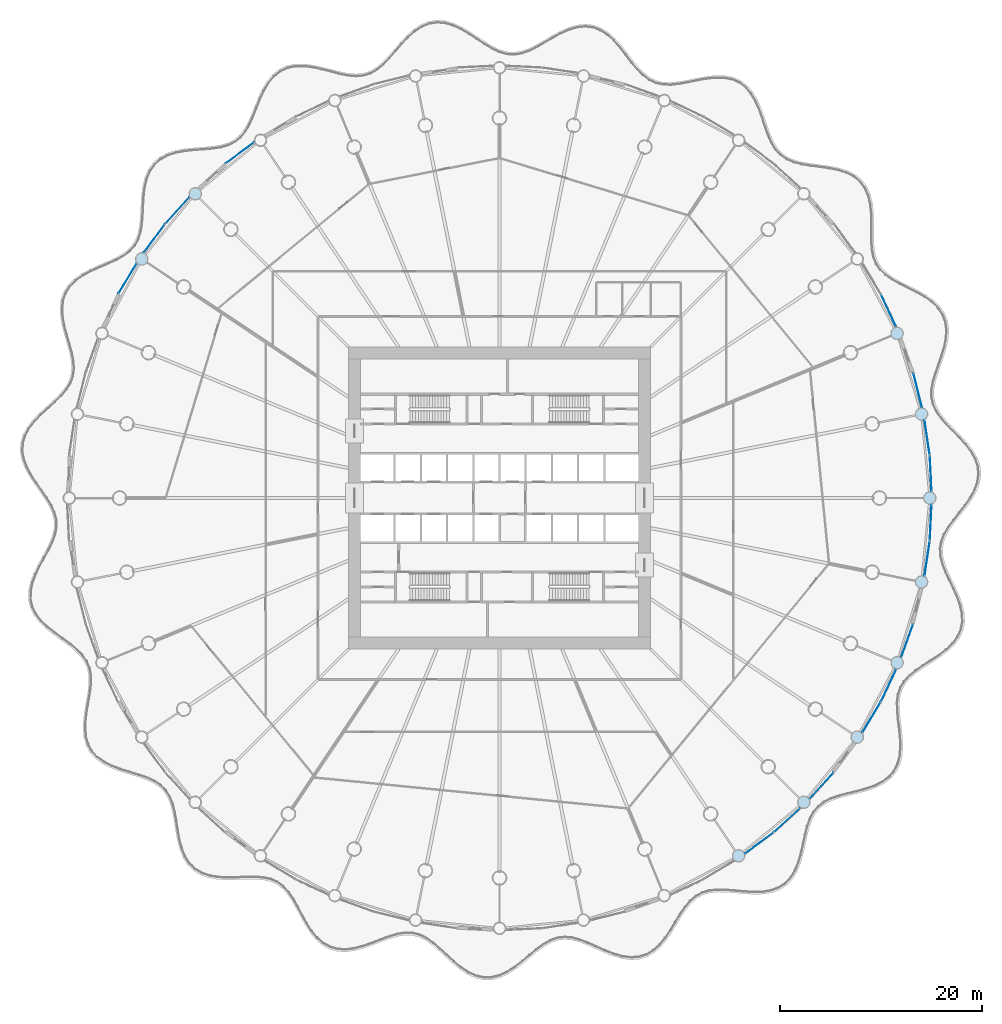
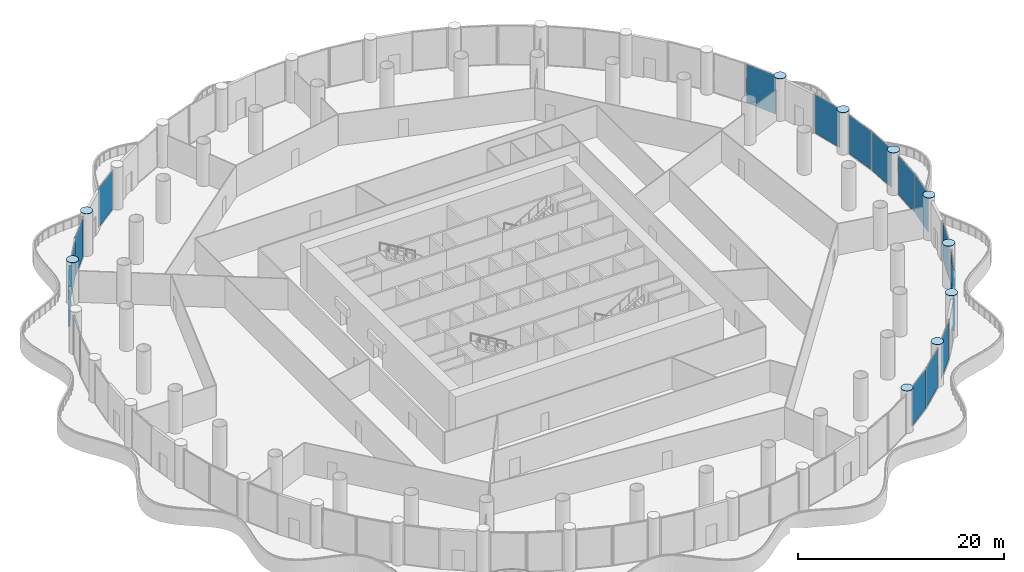
# One storey, part 22 of 38: 26 plates, 16 elements without a shape of their own.
"""IFC4 building model written with IfcOpenShell, lengths in metres."""

from ifc_helpers import new_model, si_unit, direction, frame, origin, origin_2d, place, context, subcontext, project, spatial, polyline, rectangle, outline, extrude, material, layer, layer_set, type_object, element, aggregate, save


model = new_model("IFC4")

# Units and contexts
model_context = context("Model", 3, precision=1e-05, world=origin(), true_north=direction((0.0, 1.0)))
body_context = subcontext(model_context, "Body", "Model", "MODEL_VIEW")
ifc_project = project(units=[si_unit("LENGTHUNIT", "METRE"), si_unit("AREAUNIT", "SQUARE_METRE"), si_unit("VOLUMEUNIT", "CUBIC_METRE"), si_unit("PLANEANGLEUNIT", "RADIAN"), si_unit("MASSUNIT", "GRAM", prefix="KILO")], contexts=[model_context])

# Site, building, storey
site_placement = place(None, origin())
site = spatial("IfcSite", under=ifc_project, at=site_placement, CompositionType="ELEMENT")
building_placement = place(site_placement, origin())
building = spatial("IfcBuilding", under=site, at=building_placement, Name="Corvane Civic Tower", CompositionType="ELEMENT")
storey_placement = place(building_placement, frame((0.0, 0.0, 32.0)))
storey = spatial("IfcBuildingStorey", under=building, at=storey_placement, Name="L06", CompositionType="ELEMENT", Elevation=32.0)

# Plates
ifc_material_1 = material(Name="Steel ASTM A572 Gr 50", Category="steel")
ifc_layer_1 = layer(ifc_material_1, 0.050048828125)
ifc_layer_set_1 = layer_set([ifc_layer_1], Name="Steel ASTM A572 Gr 50")
plate_type_1 = type_object("IfcPlateType", Name="COLUMN CAP PLATE 50", PredefinedType="SHEET", material=ifc_layer_set_1)
plate_1_placement = place(storey_placement, frame((0.0, 0.0, 5.0)))
element("IfcPlate", 1, at=plate_1_placement, inside=storey, type_object=plate_type_1, Name="PL-L06-cap-G07", PredefinedType="SHEET", context=body_context, shape_type="SweptSolid", body=[
    extrude(outline(polyline([(40.0498046875, 16.340576171875), (40.044677734375, 16.4189453125), (40.029296875, 16.495849609375), (40.00390625, 16.5703125), (39.96923828125, 16.640625), (39.92578125, 16.705810546875), (39.8740234375, 16.764892578125), (39.81494140625, 16.816650390625), (39.749755859375, 16.860107421875), (39.67919921875, 16.89501953125), (39.60498046875, 16.920166015625), (39.528076171875, 16.935302734375), (39.44970703125, 16.940673828125), (39.371337890625, 16.935302734375), (39.29443359375, 16.920166015625), (39.22021484375, 16.89501953125), (39.149658203125, 16.860107421875), (39.08447265625, 16.816650390625), (39.025390625, 16.764892578125), (38.9736328125, 16.705810546875), (38.93017578125, 16.640625), (38.8955078125, 16.5703125), (38.8701171875, 16.495849609375), (38.854736328125, 16.4189453125), (38.849609375, 16.340576171875), (38.854736328125, 16.26220703125), (38.8701171875, 16.185302734375), (38.8955078125, 16.111083984375), (38.93017578125, 16.04052734375), (38.9736328125, 15.975341796875), (39.025390625, 15.916259765625), (39.08447265625, 15.864501953125), (39.149658203125, 15.821044921875), (39.22021484375, 15.7861328125), (39.29443359375, 15.760986328125), (39.371337890625, 15.74560546875), (39.44970703125, 15.740478515625), (39.528076171875, 15.74560546875), (39.60498046875, 15.760986328125), (39.67919921875, 15.7861328125), (39.749755859375, 15.821044921875), (39.81494140625, 15.864501953125), (39.8740234375, 15.916259765625), (39.92578125, 15.975341796875), (39.96923828125, 16.04052734375), (40.00390625, 16.111083984375), (40.029296875, 16.185302734375), (40.044677734375, 16.26220703125), (40.0498046875, 16.340576171875)])), origin(), (0.0, 0.0, 1.0), 0.050048828125),
])
plate_2_placement = place(storey_placement, frame((0.0, 0.0, 5.0)))
element("IfcPlate", 2, at=plate_2_placement, inside=storey, type_object=plate_type_1, Name="PL-L06-cap-G08", PredefinedType="SHEET", context=body_context, shape_type="SweptSolid", body=[
    extrude(outline(polyline([(42.4794921875, 8.330322265625), (42.474609375, 8.40869140625), (42.459228515625, 8.485595703125), (42.43408203125, 8.559814453125), (42.3994140625, 8.63037109375), (42.355712890625, 8.695556640625), (42.303955078125, 8.754638671875), (42.244873046875, 8.806396484375), (42.1796875, 8.849853515625), (42.109130859375, 8.884521484375), (42.034912109375, 8.909912109375), (41.9580078125, 8.92529296875), (41.879638671875, 8.930419921875), (41.80126953125, 8.92529296875), (41.724365234375, 8.909912109375), (41.64990234375, 8.884521484375), (41.57958984375, 8.849853515625), (41.514404296875, 8.806396484375), (41.455322265625, 8.754638671875), (41.403564453125, 8.695556640625), (41.360107421875, 8.63037109375), (41.3251953125, 8.559814453125), (41.300048828125, 8.485595703125), (41.284912109375, 8.40869140625), (41.279541015625, 8.330322265625), (41.284912109375, 8.251953125), (41.300048828125, 8.175048828125), (41.3251953125, 8.1005859375), (41.360107421875, 8.0302734375), (41.403564453125, 7.965087890625), (41.455322265625, 7.906005859375), (41.514404296875, 7.854248046875), (41.57958984375, 7.810791015625), (41.64990234375, 7.77587890625), (41.724365234375, 7.750732421875), (41.80126953125, 7.735595703125), (41.879638671875, 7.730224609375), (41.9580078125, 7.735595703125), (42.034912109375, 7.750732421875), (42.109130859375, 7.77587890625), (42.1796875, 7.810791015625), (42.244873046875, 7.854248046875), (42.303955078125, 7.906005859375), (42.355712890625, 7.965087890625), (42.3994140625, 8.0302734375), (42.43408203125, 8.1005859375), (42.459228515625, 8.175048828125), (42.474609375, 8.251953125), (42.4794921875, 8.330322265625)])), origin(), (0.0, 0.0, 1.0), 0.050048828125),
])
plate_3_placement = place(storey_placement, frame((0.0, 0.0, 5.0)))
element("IfcPlate", 3, at=plate_3_placement, inside=storey, type_object=plate_type_1, Name="PL-L06-cap-G09", PredefinedType="SHEET", context=body_context, shape_type="SweptSolid", body=[
    extrude(outline(polyline([(43.300048828125, 0.0), (43.294921875, 0.078369140625), (43.279541015625, 0.1552734375), (43.25439453125, 0.2294921875), (43.219482421875, 0.300048828125), (43.176025390625, 0.365234375), (43.124267578125, 0.42431640625), (43.065185546875, 0.47607421875), (43.0, 0.51953125), (42.9296875, 0.55419921875), (42.855224609375, 0.57958984375), (42.7783203125, 0.594970703125), (42.699951171875, 0.60009765625), (42.62158203125, 0.594970703125), (42.544677734375, 0.57958984375), (42.47021484375, 0.55419921875), (42.39990234375, 0.51953125), (42.334716796875, 0.47607421875), (42.275634765625, 0.42431640625), (42.223876953125, 0.365234375), (42.180419921875, 0.300048828125), (42.1455078125, 0.2294921875), (42.120361328125, 0.1552734375), (42.10498046875, 0.078369140625), (42.10009765625, 0.0), (42.10498046875, -0.078369140625), (42.120361328125, -0.1552734375), (42.1455078125, -0.2294921875), (42.180419921875, -0.300048828125), (42.223876953125, -0.365234375), (42.275634765625, -0.42431640625), (42.334716796875, -0.47607421875), (42.39990234375, -0.51953125), (42.47021484375, -0.55419921875), (42.544677734375, -0.57958984375), (42.62158203125, -0.594970703125), (42.699951171875, -0.60009765625), (42.7783203125, -0.594970703125), (42.855224609375, -0.57958984375), (42.9296875, -0.55419921875), (43.0, -0.51953125), (43.065185546875, -0.47607421875), (43.124267578125, -0.42431640625), (43.176025390625, -0.365234375), (43.219482421875, -0.300048828125), (43.25439453125, -0.2294921875), (43.279541015625, -0.1552734375), (43.294921875, -0.078369140625), (43.300048828125, 0.0)])), origin(), (0.0, 0.0, 1.0), 0.050048828125),
])
plate_4_placement = place(storey_placement, frame((0.0, 0.0, 5.0)))
element("IfcPlate", 4, at=plate_4_placement, inside=storey, type_object=plate_type_1, Name="PL-L06-cap-G10", PredefinedType="SHEET", context=body_context, shape_type="SweptSolid", body=[
    extrude(outline(polyline([(42.4794921875, -8.330322265625), (42.474609375, -8.251953125), (42.459228515625, -8.175048828125), (42.43408203125, -8.1005859375), (42.3994140625, -8.0302734375), (42.355712890625, -7.965087890625), (42.303955078125, -7.906005859375), (42.244873046875, -7.854248046875), (42.1796875, -7.810791015625), (42.109130859375, -7.77587890625), (42.034912109375, -7.750732421875), (41.9580078125, -7.735595703125), (41.879638671875, -7.730224609375), (41.80126953125, -7.735595703125), (41.724365234375, -7.750732421875), (41.64990234375, -7.77587890625), (41.57958984375, -7.810791015625), (41.514404296875, -7.854248046875), (41.455322265625, -7.906005859375), (41.403564453125, -7.965087890625), (41.360107421875, -8.0302734375), (41.3251953125, -8.1005859375), (41.300048828125, -8.175048828125), (41.284912109375, -8.251953125), (41.279541015625, -8.330322265625), (41.284912109375, -8.40869140625), (41.300048828125, -8.485595703125), (41.3251953125, -8.559814453125), (41.360107421875, -8.63037109375), (41.403564453125, -8.695556640625), (41.455322265625, -8.754638671875), (41.514404296875, -8.806396484375), (41.57958984375, -8.849853515625), (41.64990234375, -8.884521484375), (41.724365234375, -8.909912109375), (41.80126953125, -8.92529296875), (41.879638671875, -8.930419921875), (41.9580078125, -8.92529296875), (42.034912109375, -8.909912109375), (42.109130859375, -8.884521484375), (42.1796875, -8.849853515625), (42.244873046875, -8.806396484375), (42.303955078125, -8.754638671875), (42.355712890625, -8.695556640625), (42.3994140625, -8.63037109375), (42.43408203125, -8.559814453125), (42.459228515625, -8.485595703125), (42.474609375, -8.40869140625), (42.4794921875, -8.330322265625)])), origin(), (0.0, 0.0, 1.0), 0.050048828125),
])
plate_5_placement = place(storey_placement, frame((0.0, 0.0, 5.0)))
element("IfcPlate", 5, at=plate_5_placement, inside=storey, type_object=plate_type_1, Name="PL-L06-cap-G11", PredefinedType="SHEET", context=body_context, shape_type="SweptSolid", body=[
    extrude(outline(polyline([(40.0498046875, -16.340576171875), (40.044677734375, -16.26220703125), (40.029296875, -16.185302734375), (40.00390625, -16.111083984375), (39.96923828125, -16.04052734375), (39.92578125, -15.975341796875), (39.8740234375, -15.916259765625), (39.81494140625, -15.864501953125), (39.749755859375, -15.821044921875), (39.67919921875, -15.7861328125), (39.60498046875, -15.760986328125), (39.528076171875, -15.74560546875), (39.44970703125, -15.740478515625), (39.371337890625, -15.74560546875), (39.29443359375, -15.760986328125), (39.22021484375, -15.7861328125), (39.149658203125, -15.821044921875), (39.08447265625, -15.864501953125), (39.025390625, -15.916259765625), (38.9736328125, -15.975341796875), (38.93017578125, -16.04052734375), (38.8955078125, -16.111083984375), (38.8701171875, -16.185302734375), (38.854736328125, -16.26220703125), (38.849609375, -16.340576171875), (38.854736328125, -16.4189453125), (38.8701171875, -16.495849609375), (38.8955078125, -16.5703125), (38.93017578125, -16.640625), (38.9736328125, -16.705810546875), (39.025390625, -16.764892578125), (39.08447265625, -16.816650390625), (39.149658203125, -16.860107421875), (39.22021484375, -16.89501953125), (39.29443359375, -16.920166015625), (39.371337890625, -16.935302734375), (39.44970703125, -16.940673828125), (39.528076171875, -16.935302734375), (39.60498046875, -16.920166015625), (39.67919921875, -16.89501953125), (39.749755859375, -16.860107421875), (39.81494140625, -16.816650390625), (39.8740234375, -16.764892578125), (39.92578125, -16.705810546875), (39.96923828125, -16.640625), (40.00390625, -16.5703125), (40.029296875, -16.495849609375), (40.044677734375, -16.4189453125), (40.0498046875, -16.340576171875)])), origin(), (0.0, 0.0, 1.0), 0.050048828125),
])
plate_6_placement = place(storey_placement, frame((0.0, 0.0, 5.0)))
element("IfcPlate", 6, at=plate_6_placement, inside=storey, type_object=plate_type_1, Name="PL-L06-cap-G12", PredefinedType="SHEET", context=body_context, shape_type="SweptSolid", body=[
    extrude(outline(polyline([(36.103759765625, -23.722900390625), (36.098388671875, -23.64453125), (36.083251953125, -23.567626953125), (36.05810546875, -23.493408203125), (36.023193359375, -23.4228515625), (35.979736328125, -23.357666015625), (35.927978515625, -23.298583984375), (35.868896484375, -23.246826171875), (35.8037109375, -23.203369140625), (35.7333984375, -23.168701171875), (35.658935546875, -23.143310546875), (35.58203125, -23.1279296875), (35.503662109375, -23.122802734375), (35.42529296875, -23.1279296875), (35.348388671875, -23.143310546875), (35.274169921875, -23.168701171875), (35.20361328125, -23.203369140625), (35.138427734375, -23.246826171875), (35.079345703125, -23.298583984375), (35.027587890625, -23.357666015625), (34.98388671875, -23.4228515625), (34.94921875, -23.493408203125), (34.924072265625, -23.567626953125), (34.90869140625, -23.64453125), (34.90380859375, -23.722900390625), (34.90869140625, -23.80126953125), (34.924072265625, -23.878173828125), (34.94921875, -23.952392578125), (34.98388671875, -24.02294921875), (35.027587890625, -24.088134765625), (35.079345703125, -24.147216796875), (35.138427734375, -24.198974609375), (35.20361328125, -24.242431640625), (35.274169921875, -24.277099609375), (35.348388671875, -24.302490234375), (35.42529296875, -24.31787109375), (35.503662109375, -24.322998046875), (35.58203125, -24.31787109375), (35.658935546875, -24.302490234375), (35.7333984375, -24.277099609375), (35.8037109375, -24.242431640625), (35.868896484375, -24.198974609375), (35.927978515625, -24.147216796875), (35.979736328125, -24.088134765625), (36.023193359375, -24.02294921875), (36.05810546875, -23.952392578125), (36.083251953125, -23.878173828125), (36.098388671875, -23.80126953125), (36.103759765625, -23.722900390625)])), origin(), (0.0, 0.0, 1.0), 0.050048828125),
])
plate_7_placement = place(storey_placement, frame((0.0, 0.0, 5.0)))
element("IfcPlate", 7, at=plate_7_placement, inside=storey, type_object=plate_type_1, Name="PL-L06-cap-G13", PredefinedType="SHEET", context=body_context, shape_type="SweptSolid", body=[
    extrude(outline(polyline([(30.79345703125, -30.193359375), (30.7880859375, -30.114990234375), (30.77294921875, -30.0380859375), (30.747802734375, -29.963623046875), (30.712890625, -29.893310546875), (30.66943359375, -29.828125), (30.61767578125, -29.76904296875), (30.55859375, -29.71728515625), (30.493408203125, -29.673583984375), (30.423095703125, -29.638916015625), (30.3486328125, -29.61376953125), (30.271728515625, -29.598388671875), (30.193359375, -29.593505859375), (30.114990234375, -29.598388671875), (30.0380859375, -29.61376953125), (29.963623046875, -29.638916015625), (29.893310546875, -29.673583984375), (29.828125, -29.71728515625), (29.76904296875, -29.76904296875), (29.71728515625, -29.828125), (29.673583984375, -29.893310546875), (29.638916015625, -29.963623046875), (29.61376953125, -30.0380859375), (29.598388671875, -30.114990234375), (29.593505859375, -30.193359375), (29.598388671875, -30.271728515625), (29.61376953125, -30.3486328125), (29.638916015625, -30.423095703125), (29.673583984375, -30.493408203125), (29.71728515625, -30.55859375), (29.76904296875, -30.61767578125), (29.828125, -30.66943359375), (29.893310546875, -30.712890625), (29.963623046875, -30.747802734375), (30.0380859375, -30.77294921875), (30.114990234375, -30.7880859375), (30.193359375, -30.79345703125), (30.271728515625, -30.7880859375), (30.3486328125, -30.77294921875), (30.423095703125, -30.747802734375), (30.493408203125, -30.712890625), (30.55859375, -30.66943359375), (30.61767578125, -30.61767578125), (30.66943359375, -30.55859375), (30.712890625, -30.493408203125), (30.747802734375, -30.423095703125), (30.77294921875, -30.3486328125), (30.7880859375, -30.271728515625), (30.79345703125, -30.193359375)])), origin(), (0.0, 0.0, 1.0), 0.050048828125),
])
plate_8_placement = place(storey_placement, frame((0.0, 0.0, 5.0)))
element("IfcPlate", 8, at=plate_8_placement, inside=storey, type_object=plate_type_1, Name="PL-L06-cap-G14", PredefinedType="SHEET", context=body_context, shape_type="SweptSolid", body=[
    extrude(outline(polyline([(24.322998046875, -35.503662109375), (24.31787109375, -35.42529296875), (24.302490234375, -35.348388671875), (24.277099609375, -35.274169921875), (24.242431640625, -35.20361328125), (24.198974609375, -35.138427734375), (24.147216796875, -35.079345703125), (24.088134765625, -35.027587890625), (24.02294921875, -34.98388671875), (23.952392578125, -34.94921875), (23.878173828125, -34.924072265625), (23.80126953125, -34.90869140625), (23.722900390625, -34.90380859375), (23.64453125, -34.90869140625), (23.567626953125, -34.924072265625), (23.493408203125, -34.94921875), (23.4228515625, -34.98388671875), (23.357666015625, -35.027587890625), (23.298583984375, -35.079345703125), (23.246826171875, -35.138427734375), (23.203369140625, -35.20361328125), (23.168701171875, -35.274169921875), (23.143310546875, -35.348388671875), (23.1279296875, -35.42529296875), (23.122802734375, -35.503662109375), (23.1279296875, -35.58203125), (23.143310546875, -35.658935546875), (23.168701171875, -35.7333984375), (23.203369140625, -35.8037109375), (23.246826171875, -35.868896484375), (23.298583984375, -35.927978515625), (23.357666015625, -35.979736328125), (23.4228515625, -36.023193359375), (23.493408203125, -36.05810546875), (23.567626953125, -36.083251953125), (23.64453125, -36.098388671875), (23.722900390625, -36.103759765625), (23.80126953125, -36.098388671875), (23.878173828125, -36.083251953125), (23.952392578125, -36.05810546875), (24.02294921875, -36.023193359375), (24.088134765625, -35.979736328125), (24.147216796875, -35.927978515625), (24.198974609375, -35.868896484375), (24.242431640625, -35.8037109375), (24.277099609375, -35.7333984375), (24.302490234375, -35.658935546875), (24.31787109375, -35.58203125), (24.322998046875, -35.503662109375)])), origin(), (0.0, 0.0, 1.0), 0.050048828125),
])
plate_9_placement = place(storey_placement, frame((0.0, 0.0, 5.0)))
element("IfcPlate", 9, at=plate_9_placement, inside=storey, type_object=plate_type_1, Name="PL-L06-cap-G28", PredefinedType="SHEET", context=body_context, shape_type="SweptSolid", body=[
    extrude(outline(polyline([(-34.90380859375, 23.722900390625), (-34.90869140625, 23.80126953125), (-34.924072265625, 23.878173828125), (-34.94921875, 23.952392578125), (-34.98388671875, 24.02294921875), (-35.027587890625, 24.088134765625), (-35.079345703125, 24.147216796875), (-35.138427734375, 24.198974609375), (-35.20361328125, 24.242431640625), (-35.274169921875, 24.277099609375), (-35.348388671875, 24.302490234375), (-35.42529296875, 24.31787109375), (-35.503662109375, 24.322998046875), (-35.58203125, 24.31787109375), (-35.658935546875, 24.302490234375), (-35.7333984375, 24.277099609375), (-35.8037109375, 24.242431640625), (-35.868896484375, 24.198974609375), (-35.927978515625, 24.147216796875), (-35.979736328125, 24.088134765625), (-36.023193359375, 24.02294921875), (-36.05810546875, 23.952392578125), (-36.083251953125, 23.878173828125), (-36.098388671875, 23.80126953125), (-36.103759765625, 23.722900390625), (-36.098388671875, 23.64453125), (-36.083251953125, 23.567626953125), (-36.05810546875, 23.493408203125), (-36.023193359375, 23.4228515625), (-35.979736328125, 23.357666015625), (-35.927978515625, 23.298583984375), (-35.868896484375, 23.246826171875), (-35.8037109375, 23.203369140625), (-35.7333984375, 23.168701171875), (-35.658935546875, 23.143310546875), (-35.58203125, 23.1279296875), (-35.503662109375, 23.122802734375), (-35.42529296875, 23.1279296875), (-35.348388671875, 23.143310546875), (-35.274169921875, 23.168701171875), (-35.20361328125, 23.203369140625), (-35.138427734375, 23.246826171875), (-35.079345703125, 23.298583984375), (-35.027587890625, 23.357666015625), (-34.98388671875, 23.4228515625), (-34.94921875, 23.493408203125), (-34.924072265625, 23.567626953125), (-34.90869140625, 23.64453125), (-34.90380859375, 23.722900390625)])), origin(), (0.0, 0.0, 1.0), 0.050048828125),
])
plate_10_placement = place(storey_placement, frame((0.0, 0.0, 5.0)))
element("IfcPlate", 10, at=plate_10_placement, inside=storey, type_object=plate_type_1, Name="PL-L06-cap-G29", PredefinedType="SHEET", context=body_context, shape_type="SweptSolid", body=[
    extrude(outline(polyline([(-29.593505859375, 30.193359375), (-29.598388671875, 30.271728515625), (-29.61376953125, 30.3486328125), (-29.638916015625, 30.423095703125), (-29.673583984375, 30.493408203125), (-29.71728515625, 30.55859375), (-29.76904296875, 30.61767578125), (-29.828125, 30.66943359375), (-29.893310546875, 30.712890625), (-29.963623046875, 30.747802734375), (-30.0380859375, 30.77294921875), (-30.114990234375, 30.7880859375), (-30.193359375, 30.79345703125), (-30.271728515625, 30.7880859375), (-30.3486328125, 30.77294921875), (-30.423095703125, 30.747802734375), (-30.493408203125, 30.712890625), (-30.55859375, 30.66943359375), (-30.61767578125, 30.61767578125), (-30.66943359375, 30.55859375), (-30.712890625, 30.493408203125), (-30.747802734375, 30.423095703125), (-30.77294921875, 30.3486328125), (-30.7880859375, 30.271728515625), (-30.79345703125, 30.193359375), (-30.7880859375, 30.114990234375), (-30.77294921875, 30.0380859375), (-30.747802734375, 29.963623046875), (-30.712890625, 29.893310546875), (-30.66943359375, 29.828125), (-30.61767578125, 29.76904296875), (-30.55859375, 29.71728515625), (-30.493408203125, 29.673583984375), (-30.423095703125, 29.638916015625), (-30.3486328125, 29.61376953125), (-30.271728515625, 29.598388671875), (-30.193359375, 29.593505859375), (-30.114990234375, 29.598388671875), (-30.0380859375, 29.61376953125), (-29.963623046875, 29.638916015625), (-29.893310546875, 29.673583984375), (-29.828125, 29.71728515625), (-29.76904296875, 29.76904296875), (-29.71728515625, 29.828125), (-29.673583984375, 29.893310546875), (-29.638916015625, 29.963623046875), (-29.61376953125, 30.0380859375), (-29.598388671875, 30.114990234375), (-29.593505859375, 30.193359375)])), origin(), (0.0, 0.0, 1.0), 0.050048828125),
])

# Curtain wall, plate
ifc_material_2 = material(Name="Aluminium and glass", Category="aluminium")
curtain_wall_type = type_object("IfcCurtainWallType", Name="PODIUM-CW-P-RUN", PredefinedType="NOTDEFINED", material=ifc_material_2)
curtain_wall_1_placement = place(storey_placement, origin())
curtain_wall_1 = element("IfcCurtainWall", 11, at=curtain_wall_1_placement, inside=storey, type_object=curtain_wall_type, Name="PODI run L06-drum-06B", PredefinedType="NOTDEFINED")
ifc_material_3 = material(Name="Glass tinted low-e laminated", Category="glass")
ifc_layer_2 = layer(ifc_material_3, 0.031982421875)
ifc_layer_set_2 = layer_set([ifc_layer_2], Name="Glass tinted low-e laminated")
plate_type_2 = type_object("IfcPlateType", Name="PODIUM-CWP-PANEL-IGU32", PredefinedType="CURTAIN_PANEL", material=ifc_layer_set_2)
plate_11_placement = place(storey_placement, frame((38.614990234375, 18.595458984375, 0.06005859375), z_axis=(0.0, 0.0, 1.0), x_axis=(0.42755312852, -0.903990222454, 0.0)))
plate_11 = element("IfcPlate", 12, at=plate_11_placement, type_object=plate_type_2, Name="CW-P panel 1.1", PredefinedType="CURTAIN_PANEL", context=body_context, shape_type="SweptSolid", body=[
    extrude(rectangle(XDim=3.4599609375, YDim=0.031982421875, at=origin_2d()), origin(), (0.0, 0.0, 1.0), 4.580078125),
])
aggregate(curtain_wall_1, [plate_11])

curtain_wall_2_placement = place(storey_placement, origin())
curtain_wall_2 = element("IfcCurtainWall", 13, at=curtain_wall_2_placement, inside=storey, type_object=curtain_wall_type, Name="PODI run L06-drum-07B", PredefinedType="NOTDEFINED")
plate_12_placement = place(storey_placement, frame((41.5009765625, 10.70458984375, 0.06005859375), z_axis=(0.0, 0.0, 1.0), x_axis=(0.243008852393, -0.970024070659, 0.0)))
plate_12 = element("IfcPlate", 14, at=plate_12_placement, type_object=plate_type_2, Name="CW-P panel 1.1", PredefinedType="CURTAIN_PANEL", context=body_context, shape_type="SweptSolid", body=[
    extrude(rectangle(XDim=3.459716796875, YDim=0.031982421875, at=origin_2d()), origin(), (0.0, 0.0, 1.0), 4.580078125),
])
aggregate(curtain_wall_2, [plate_12])

curtain_wall_3_placement = place(storey_placement, origin())
curtain_wall_3 = element("IfcCurtainWall", 15, at=curtain_wall_3_placement, inside=storey, type_object=curtain_wall_type, Name="PODI run L06-drum-08A", PredefinedType="NOTDEFINED")
plate_13_placement = place(storey_placement, frame((42.4384765625, 5.991943359375, 0.06005859375), z_axis=(0.0, 0.0, 1.0), x_axis=(0.146714694252, -0.989178850608, 0.0)))
plate_13 = element("IfcPlate", 16, at=plate_13_placement, type_object=plate_type_2, Name="CW-P panel 1.1", PredefinedType="CURTAIN_PANEL", context=body_context, shape_type="SweptSolid", body=[
    extrude(rectangle(XDim=3.459716796875, YDim=0.031982421875, at=origin_2d()), origin(), (0.0, 0.0, 1.0), 4.580078125),
])
aggregate(curtain_wall_3, [plate_13])

curtain_wall_4_placement = place(storey_placement, origin())
curtain_wall_4 = element("IfcCurtainWall", 17, at=curtain_wall_4_placement, inside=storey, type_object=curtain_wall_type, Name="PODI run L06-drum-08B", PredefinedType="NOTDEFINED")
plate_14_placement = place(storey_placement, frame((42.7919921875, 2.402587890625, 0.06005859375), z_axis=(0.0, 0.0, 1.0), x_axis=(0.04905015332, -0.998796316803, 0.0)))
plate_14 = element("IfcPlate", 18, at=plate_14_placement, type_object=plate_type_2, Name="CW-P panel 1.1", PredefinedType="CURTAIN_PANEL", context=body_context, shape_type="SweptSolid", body=[
    extrude(rectangle(XDim=3.4599609375, YDim=0.031982421875, at=origin_2d()), origin(), (0.0, 0.0, 1.0), 4.580078125),
])
aggregate(curtain_wall_4, [plate_14])

curtain_wall_5_placement = place(storey_placement, origin())
curtain_wall_5 = element("IfcCurtainWall", 19, at=curtain_wall_5_placement, inside=storey, type_object=curtain_wall_type, Name="PODI run L06-drum-09A", PredefinedType="NOTDEFINED")
plate_15_placement = place(storey_placement, frame((42.7919921875, -2.402587890625, 0.06005859375), z_axis=(0.0, 0.0, 1.0), x_axis=(-0.04905015332, -0.998796316803, 0.0)))
plate_15 = element("IfcPlate", 20, at=plate_15_placement, type_object=plate_type_2, Name="CW-P panel 1.1", PredefinedType="CURTAIN_PANEL", context=body_context, shape_type="SweptSolid", body=[
    extrude(rectangle(XDim=3.4599609375, YDim=0.031982421875, at=origin_2d()), origin(), (0.0, 0.0, 1.0), 4.580078125),
])
aggregate(curtain_wall_5, [plate_15])

curtain_wall_6_placement = place(storey_placement, origin())
curtain_wall_6 = element("IfcCurtainWall", 21, at=curtain_wall_6_placement, inside=storey, type_object=curtain_wall_type, Name="PODI run L06-drum-09B", PredefinedType="NOTDEFINED")
plate_16_placement = place(storey_placement, frame((42.4384765625, -5.991943359375, 0.06005859375), z_axis=(0.0, 0.0, 1.0), x_axis=(-0.146714694252, -0.989178850608, 0.0)))
plate_16 = element("IfcPlate", 22, at=plate_16_placement, type_object=plate_type_2, Name="CW-P panel 1.1", PredefinedType="CURTAIN_PANEL", context=body_context, shape_type="SweptSolid", body=[
    extrude(rectangle(XDim=3.459716796875, YDim=0.031982421875, at=origin_2d()), origin(), (0.0, 0.0, 1.0), 4.580078125),
])
aggregate(curtain_wall_6, [plate_16])

curtain_wall_7_placement = place(storey_placement, origin())
curtain_wall_7 = element("IfcCurtainWall", 23, at=curtain_wall_7_placement, inside=storey, type_object=curtain_wall_type, Name="PODI run L06-drum-10B", PredefinedType="NOTDEFINED")
plate_17_placement = place(storey_placement, frame((40.453857421875, -14.156005859375, 0.06005859375), z_axis=(0.0, 0.0, 1.0), x_axis=(-0.336918534123, -0.941533802561, 0.0)))
plate_17 = element("IfcPlate", 24, at=plate_17_placement, type_object=plate_type_2, Name="CW-P panel 1.1", PredefinedType="CURTAIN_PANEL", context=body_context, shape_type="SweptSolid", body=[
    extrude(rectangle(XDim=3.459716796875, YDim=0.031982421875, at=origin_2d()), origin(), (0.0, 0.0, 1.0), 4.580078125),
])
aggregate(curtain_wall_7, [plate_17])

curtain_wall_8_placement = place(storey_placement, origin())
curtain_wall_8 = element("IfcCurtainWall", 25, at=curtain_wall_8_placement, inside=storey, type_object=curtain_wall_type, Name="PODI run L06-drum-11A", PredefinedType="NOTDEFINED")
plate_18_placement = place(storey_placement, frame((38.614990234375, -18.595458984375, 0.06005859375), z_axis=(0.0, 0.0, 1.0), x_axis=(-0.42755312852, -0.903990222454, 0.0)))
plate_18 = element("IfcPlate", 26, at=plate_18_placement, type_object=plate_type_2, Name="CW-P panel 1.1", PredefinedType="CURTAIN_PANEL", context=body_context, shape_type="SweptSolid", body=[
    extrude(rectangle(XDim=3.4599609375, YDim=0.031982421875, at=origin_2d()), origin(), (0.0, 0.0, 1.0), 4.580078125),
])
aggregate(curtain_wall_8, [plate_18])

curtain_wall_9_placement = place(storey_placement, origin())
curtain_wall_9 = element("IfcCurtainWall", 27, at=curtain_wall_9_placement, inside=storey, type_object=curtain_wall_type, Name="PODI run L06-drum-11B", PredefinedType="NOTDEFINED")
plate_19_placement = place(storey_placement, frame((36.914794921875, -21.776123046875, 0.06005859375), z_axis=(0.0, 0.0, 1.0), x_axis=(-0.514117759857, -0.857719609779, 0.0)))
plate_19 = element("IfcPlate", 28, at=plate_19_placement, type_object=plate_type_2, Name="CW-P panel 1.1", PredefinedType="CURTAIN_PANEL", context=body_context, shape_type="SweptSolid", body=[
    extrude(rectangle(XDim=3.459716796875, YDim=0.031982421875, at=origin_2d()), origin(), (0.0, 0.0, 1.0), 4.580078125),
])
aggregate(curtain_wall_9, [plate_19])

curtain_wall_10_placement = place(storey_placement, origin())
curtain_wall_10 = element("IfcCurtainWall", 29, at=curtain_wall_10_placement, inside=storey, type_object=curtain_wall_type, Name="PODI run L06-drum-12B", PredefinedType="NOTDEFINED")
plate_20_placement = place(storey_placement, frame((31.957275390625, -28.5595703125, 0.06005859375), z_axis=(0.0, 0.0, 1.0), x_axis=(-0.671576457952, -0.740935261089, 0.0)))
plate_20 = element("IfcPlate", 30, at=plate_20_placement, type_object=plate_type_2, Name="CW-P panel 1.1", PredefinedType="CURTAIN_PANEL", context=body_context, shape_type="SweptSolid", body=[
    extrude(rectangle(XDim=3.4599609375, YDim=0.031982421875, at=origin_2d()), origin(), (0.0, 0.0, 1.0), 4.580078125),
])
aggregate(curtain_wall_10, [plate_20])

curtain_wall_11_placement = place(storey_placement, origin())
curtain_wall_11 = element("IfcCurtainWall", 31, at=curtain_wall_11_placement, inside=storey, type_object=curtain_wall_type, Name="PODI run L06-drum-13A", PredefinedType="NOTDEFINED")
plate_21_placement = place(storey_placement, frame((28.5595703125, -31.957275390625, 0.06005859375), z_axis=(0.0, 0.0, 1.0), x_axis=(-0.740935261089, -0.671576457952, 0.0)))
plate_21 = element("IfcPlate", 32, at=plate_21_placement, type_object=plate_type_2, Name="CW-P panel 1.1", PredefinedType="CURTAIN_PANEL", context=body_context, shape_type="SweptSolid", body=[
    extrude(rectangle(XDim=3.4599609375, YDim=0.031982421875, at=origin_2d()), origin(), (0.0, 0.0, 1.0), 4.580078125),
])
aggregate(curtain_wall_11, [plate_21])

curtain_wall_12_placement = place(storey_placement, origin())
curtain_wall_12 = element("IfcCurtainWall", 33, at=curtain_wall_12_placement, inside=storey, type_object=curtain_wall_type, Name="PODI run L06-drum-13B", PredefinedType="NOTDEFINED")
plate_22_placement = place(storey_placement, frame((25.771484375, -34.245361328125, 0.06005859375), z_axis=(0.0, 0.0, 1.0), x_axis=(-0.803203229747, -0.595705104665, 0.0)))
plate_22 = element("IfcPlate", 34, at=plate_22_placement, type_object=plate_type_2, Name="CW-P panel 1.1", PredefinedType="CURTAIN_PANEL", context=body_context, shape_type="SweptSolid", body=[
    extrude(rectangle(XDim=3.459716796875, YDim=0.031982421875, at=origin_2d()), origin(), (0.0, 0.0, 1.0), 4.580078125),
])
aggregate(curtain_wall_12, [plate_22])

curtain_wall_13_placement = place(storey_placement, origin())
curtain_wall_13 = element("IfcCurtainWall", 35, at=curtain_wall_13_placement, inside=storey, type_object=curtain_wall_type, Name="PODI run L06-drum-27B", PredefinedType="NOTDEFINED")
plate_23_placement = place(storey_placement, frame((-36.914794921875, 21.776123046875, 0.06005859375), z_axis=(0.0, 0.0, 1.0), x_axis=(0.514117759857, 0.857719609779, 0.0)))
plate_23 = element("IfcPlate", 36, at=plate_23_placement, type_object=plate_type_2, Name="CW-P panel 1.1", PredefinedType="CURTAIN_PANEL", context=body_context, shape_type="SweptSolid", body=[
    extrude(rectangle(XDim=3.459716796875, YDim=0.031982421875, at=origin_2d()), origin(), (0.0, 0.0, 1.0), 4.580078125),
])
aggregate(curtain_wall_13, [plate_23])

curtain_wall_14_placement = place(storey_placement, origin())
curtain_wall_14 = element("IfcCurtainWall", 37, at=curtain_wall_14_placement, inside=storey, type_object=curtain_wall_type, Name="PODI run L06-drum-28A", PredefinedType="NOTDEFINED")
plate_24_placement = place(storey_placement, frame((-34.245361328125, 25.771484375, 0.06005859375), z_axis=(0.0, 0.0, 1.0), x_axis=(0.595705104665, 0.803203229747, 0.0)))
plate_24 = element("IfcPlate", 38, at=plate_24_placement, type_object=plate_type_2, Name="CW-P panel 1.1", PredefinedType="CURTAIN_PANEL", context=body_context, shape_type="SweptSolid", body=[
    extrude(rectangle(XDim=3.459716796875, YDim=0.031982421875, at=origin_2d()), origin(), (0.0, 0.0, 1.0), 4.580078125),
])
aggregate(curtain_wall_14, [plate_24])

curtain_wall_15_placement = place(storey_placement, origin())
curtain_wall_15 = element("IfcCurtainWall", 39, at=curtain_wall_15_placement, inside=storey, type_object=curtain_wall_type, Name="PODI run L06-drum-28B", PredefinedType="NOTDEFINED")
plate_25_placement = place(storey_placement, frame((-31.957275390625, 28.5595703125, 0.06005859375), z_axis=(0.0, 0.0, 1.0), x_axis=(0.671576457952, 0.740935261089, 0.0)))
plate_25 = element("IfcPlate", 40, at=plate_25_placement, type_object=plate_type_2, Name="CW-P panel 1.1", PredefinedType="CURTAIN_PANEL", context=body_context, shape_type="SweptSolid", body=[
    extrude(rectangle(XDim=3.4599609375, YDim=0.031982421875, at=origin_2d()), origin(), (0.0, 0.0, 1.0), 4.580078125),
])
aggregate(curtain_wall_15, [plate_25])

curtain_wall_16_placement = place(storey_placement, origin())
curtain_wall_16 = element("IfcCurtainWall", 41, at=curtain_wall_16_placement, inside=storey, type_object=curtain_wall_type, Name="PODI run L06-drum-29B", PredefinedType="NOTDEFINED")
plate_26_placement = place(storey_placement, frame((-25.771484375, 34.245361328125, 0.06005859375), z_axis=(0.0, 0.0, 1.0), x_axis=(0.803203229747, 0.595705104665, 0.0)))
plate_26 = element("IfcPlate", 42, at=plate_26_placement, type_object=plate_type_2, Name="CW-P panel 1.1", PredefinedType="CURTAIN_PANEL", context=body_context, shape_type="SweptSolid", body=[
    extrude(rectangle(XDim=3.459716796875, YDim=0.031982421875, at=origin_2d()), origin(), (0.0, 0.0, 1.0), 4.580078125),
])
aggregate(curtain_wall_16, [plate_26])

save(model, "model.ifc")
